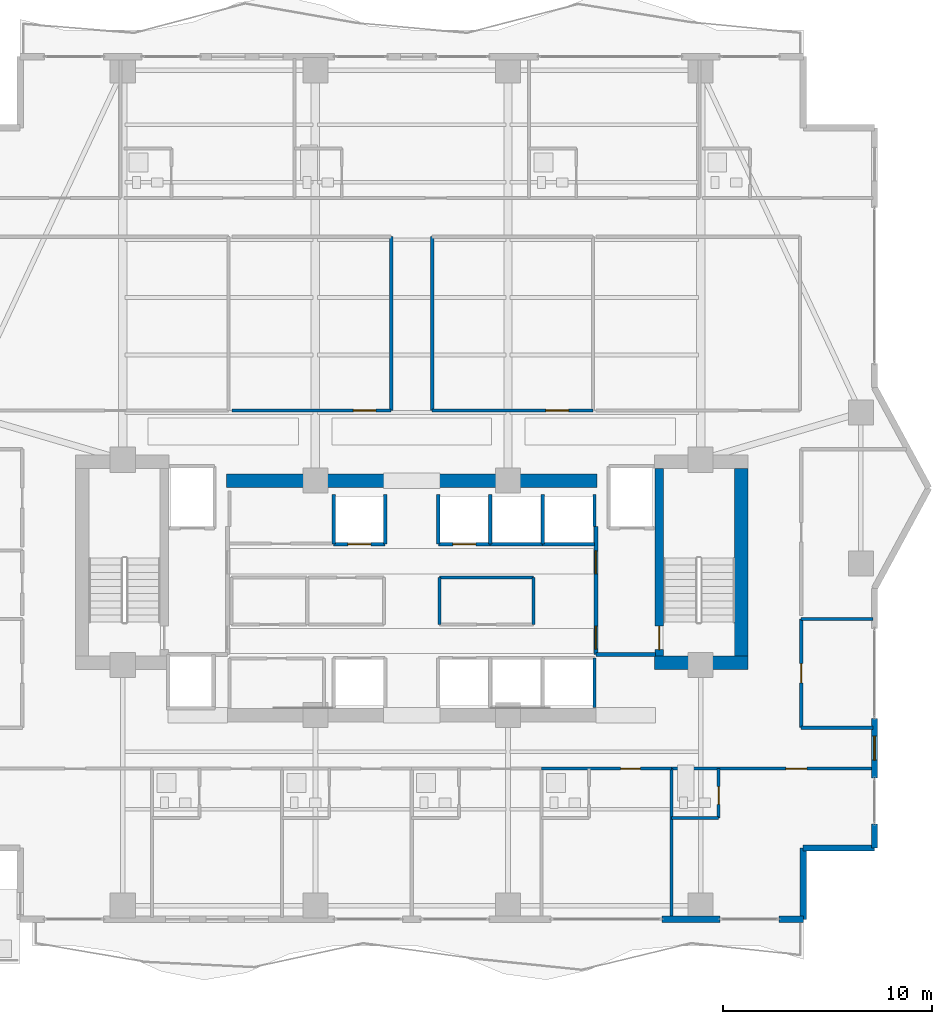
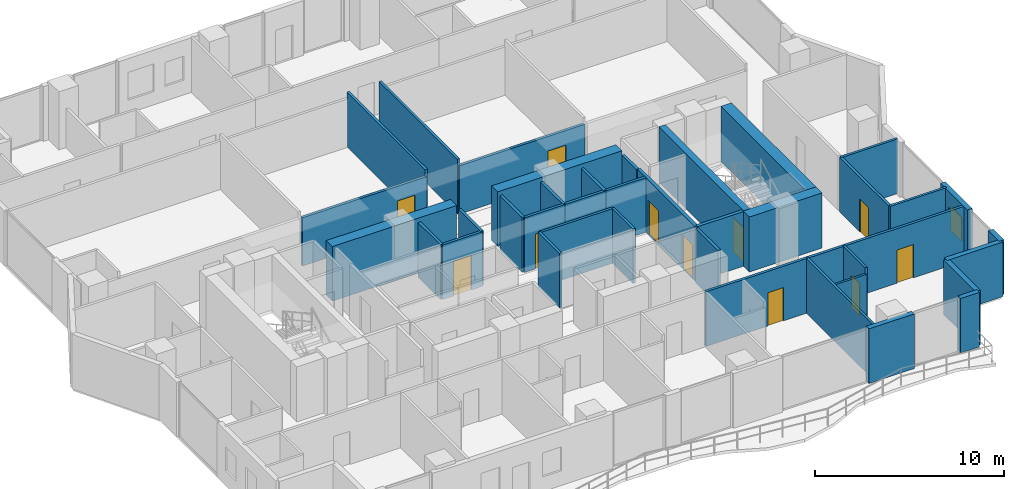
# One storey, part 26 of 32: 39 walls, 11 doors, 1 window, 12 openings.
"""IFC4 building model written with IfcOpenShell, lengths in metres."""

from ifc_helpers import new_model, si_unit, direction, frame, frame_2d, origin, place, context, subcontext, project, spatial, rectangle, extrude, material, layer, layer_set, type_object, element, fill, save


model = new_model("IFC4")

# Units and contexts
model_context = context("Model", 3, precision=1e-05, world=origin(), true_north=direction((0.0, 1.0)))
body_context = subcontext(model_context, "Body", "Model", "MODEL_VIEW")
ifc_project = project(units=[si_unit("LENGTHUNIT", "METRE"), si_unit("AREAUNIT", "SQUARE_METRE"), si_unit("VOLUMEUNIT", "CUBIC_METRE"), si_unit("PLANEANGLEUNIT", "RADIAN"), si_unit("MASSUNIT", "GRAM", prefix="KILO")], contexts=[model_context])

# Site, building, storey
site_placement = place(None, origin())
site = spatial("IfcSite", under=ifc_project, at=site_placement, CompositionType="ELEMENT")
building_placement = place(site_placement, origin())
building = spatial("IfcBuilding", under=site, at=building_placement, Name="Zuhayl Quay Hotel", CompositionType="ELEMENT")
storey_placement = place(building_placement, frame((0.0, 0.0, 188.64990234375)))
storey = spatial("IfcBuildingStorey", under=building, at=storey_placement, Name="L47", CompositionType="ELEMENT", Elevation=188.64990234375)

# Walls
ifc_material_1 = material(Name="Concrete C50/60", Category="concrete")
ifc_layer_1 = layer(ifc_material_1, 0.64990234375, Name="Concrete C50/60", Category="concrete")
ifc_layer_set_1 = layer_set([ifc_layer_1], Name="Concrete C50/60")
wall_type_1 = type_object("IfcWallType", Name="WL_CORE_650", PredefinedType="SHEAR", material=ifc_layer_set_1)
wall_1_placement = place(storey_placement, frame((15.735107421875, 4.969970703125, 0.0), z_axis=(0.0, 0.0, 1.0), x_axis=(0.0, 1.0, 0.0)))
element("IfcWall", 1, at=wall_1_placement, inside=storey, type_object=wall_type_1, Name="L47 Core Shear Wall CW_E", PredefinedType="SHEAR", context=body_context, shape_type="SweptSolid", body=[
    extrude(rectangle(XDim=8.9599609375, YDim=0.64990234375, at=frame_2d((4.47998046875, 0.0))), origin(), (0.0, 0.0, 1.0), 3.56005859375),
])
wall_2_placement = place(storey_placement, frame((11.60009765625, 4.64501953125, 0.0), z_axis=(0.0, 0.0, 1.0), x_axis=(1.0, 0.0, 0.0)))
element("IfcWall", 2, at=wall_2_placement, inside=storey, type_object=wall_type_1, Name="L47 Core Shear Wall CW_SE", PredefinedType="SHEAR", context=body_context, shape_type="SweptSolid", body=[
    extrude(rectangle(XDim=4.4599609375, YDim=0.64990234375, at=frame_2d((2.22998046875, 0.0))), origin(), (0.0, 0.0, 1.0), 3.56005859375),
])
for number, where, z_axis, x_axis, name in (
    (3, (-8.85009765625, 13.35009765625, 0.0), (0.0, 0.0, 1.0), (1.0, 0.0, 0.0), "L47 Core Shear Wall CW_NC_W"),
    (4, (1.25, 13.35009765625, 0.0), (0.0, 0.0, 1.0), (1.0, 0.0, 0.0), "L47 Core Shear Wall CW_NC_E"),
):
    element("IfcWall", number, at=place(storey_placement, frame(where, z_axis=z_axis, x_axis=x_axis)), inside=storey, type_object=wall_type_1, Name=name, PredefinedType="SHEAR", context=body_context, shape_type="SweptSolid", body=[
        extrude(rectangle(XDim=7.60009765625, YDim=0.64990234375, at=frame_2d((3.800048828125, 0.0))), origin(), (0.0, 0.0, 1.0), 3.530029296875),
    ])

# Wall, opening, window
ifc_material_2 = material(Name="Precast concrete C45/55", Category="concrete")
ifc_layer_2 = layer(ifc_material_2, 0.300048828125, Name="Precast concrete C45/55", Category="concrete")
ifc_layer_set_2 = layer_set([ifc_layer_2], Name="Precast concrete C45/55")
wall_type_2 = type_object("IfcWallType", Name="WL_EXT_300", PredefinedType="STANDARD", material=ifc_layer_set_2)
wall_3_placement = place(storey_placement, frame((22.10009765625, 2.0, 0.0), z_axis=(0.0, 0.0, 1.0), x_axis=(0.0, -1.0, 0.0)))
wall_3 = element("IfcWall", 5, at=wall_3_placement, inside=storey, type_object=wall_type_2, Name="L47 Exterior Precast Wall ENV_L47_E14_EW2", PredefinedType="STANDARD", context=body_context, shape_type="SweptSolid", body=[
    extrude(rectangle(XDim=2.85009765625, YDim=0.300048828125, at=frame_2d((1.425048828125, 0.0))), origin(), (0.0, 0.0, 1.0), 3.530029296875),
])
opening_1_placement = place(wall_3_placement, frame((0.85009765625, 0.0, 0.949951171875)))
opening_1 = element("IfcOpeningElement", 6, at=opening_1_placement, cuts=wall_3, Name="Opening W01N", PredefinedType="OPENING", context=body_context, shape_type="SweptSolid", body=[
    extrude(rectangle(XDim=1.14990234375, YDim=1.550048828125, at=frame_2d((0.574951171875, 0.77490234375))), frame((0.0, 0.159912109375, 0.0), z_axis=(0.0, -1.0, 0.0), x_axis=(1.0, 0.0, 0.0)), (0.0, 0.0, 1.0), 0.320068359375),
])
ifc_material_3 = material(Name="Dark Ceramic-Fritted Solar Glass", Category="glass")
window_type = type_object("IfcWindowType", Name="WN_NOTCH_1350", PartitioningType="SINGLE_PANEL", PredefinedType="WINDOW", material=ifc_material_3)
window_placement = place(opening_1_placement, origin())
window = element("IfcWindow", 7, at=window_placement, inside=storey, type_object=window_type, Name="L47 Operable Facade Window 2-1", OverallHeight=1.550048828125, OverallWidth=1.14990234375, PartitioningType="SINGLE_PANEL", PredefinedType="WINDOW", context=body_context, shape_type="SweptSolid", body=[
    extrude(rectangle(XDim=1.14990234375, YDim=1.550048828125, at=frame_2d((0.574951171875, 0.77490234375))), frame((0.0, 0.030029296875, 0.0), z_axis=(0.0, -1.0, 0.0), x_axis=(1.0, 0.0, 0.0)), (0.0, 0.0, 1.0), 0.06005859375),
])
fill(opening_1, window)

# Walls
wall_4_placement = place(storey_placement, frame((22.10009765625, -3.050048828125, 0.0), z_axis=(0.0, 0.0, 1.0), x_axis=(0.0, -1.0, 0.0)))
element("IfcWall", 8, at=wall_4_placement, inside=storey, type_object=wall_type_2, Name="L47 Exterior Precast Wall ENV_L47_E14_EW3", PredefinedType="STANDARD", context=body_context, shape_type="SweptSolid", body=[
    extrude(rectangle(XDim=1.14990234375, YDim=0.300048828125, at=frame_2d((0.574951171875, 0.0))), origin(), (0.0, 0.0, 1.0), 3.530029296875),
])
for number, where, z_axis, x_axis, name in (
    (9, (22.10009765625, -4.199951171875, 0.0), (0.0, 0.0, 1.0), (-1.0, 0.0, 0.0), "L47 Exterior Precast Wall ENV_L47_EW15"),
    (10, (18.699951171875, -4.199951171875, 0.0), (0.0, 0.0, 1.0), (0.0, -1.0, 0.0), "L47 Exterior Precast Wall ENV_L47_EW16"),
):
    element("IfcWall", number, at=place(storey_placement, frame(where, z_axis=z_axis, x_axis=x_axis)), inside=storey, type_object=wall_type_2, Name=name, PredefinedType="STANDARD", context=body_context, shape_type="SweptSolid", body=[
        extrude(rectangle(XDim=3.400146484375, YDim=0.300048828125, at=frame_2d((1.7001953125, 0.0))), origin(), (0.0, 0.0, 1.0), 3.530029296875),
    ])
wall_5_placement = place(storey_placement, frame((18.699951171875, -7.60009765625, 0.0), z_axis=(0.0, 0.0, 1.0), x_axis=(-1.0, 0.0, 0.0)))
element("IfcWall", 11, at=wall_5_placement, inside=storey, type_object=wall_type_2, Name="L47 Exterior Precast Wall ENV_L47_S_EW1", PredefinedType="STANDARD", context=body_context, shape_type="SweptSolid", body=[
    extrude(rectangle(XDim=1.14990234375, YDim=0.300048828125, at=frame_2d((0.574951171875, 0.0))), origin(), (0.0, 0.0, 1.0), 3.530029296875),
])
wall_6_placement = place(storey_placement, frame((14.719970703125, -7.60009765625, 0.0), z_axis=(0.0, 0.0, 1.0), x_axis=(-1.0, 0.0, 0.0)))
element("IfcWall", 12, at=wall_6_placement, inside=storey, type_object=wall_type_2, Name="L47 Exterior Precast Wall ENV_L47_S_EW2", PredefinedType="STANDARD", context=body_context, shape_type="SweptSolid", body=[
    extrude(rectangle(XDim=2.77001953125, YDim=0.300048828125, at=frame_2d((1.385009765625, 0.0))), origin(), (0.0, 0.0, 1.0), 3.530029296875),
])
ifc_material_4 = material(Name="Acoustic Gypsum Partition STC-58")
ifc_layer_3 = layer(ifc_material_4, 0.14990234375, Name="Acoustic Gypsum Partition STC-58")
ifc_layer_set_3 = layer_set([ifc_layer_3], Name="Acoustic Gypsum Partition STC-58")
wall_type_3 = type_object("IfcWallType", Name="WL_PART_150", PredefinedType="PARTITIONING", material=ifc_layer_set_3)
wall_7_placement = place(storey_placement, frame((1.320068359375, 8.719970703125, 0.0), z_axis=(0.0, 0.0, 1.0), x_axis=(1.0, 0.0, 0.0)))
element("IfcWall", 13, at=wall_7_placement, inside=storey, type_object=wall_type_3, Name="L47 Partition IW_L47_CORE_PN_N", PredefinedType="PARTITIONING", context=body_context, shape_type="SweptSolid", body=[
    extrude(rectangle(XDim=4.489990234375, YDim=0.14990234375, at=frame_2d((2.2451171875, 0.0))), origin(), (0.0, 0.0, 1.0), 3.530029296875),
])
for number, where, z_axis, x_axis, name in (
    (14, (1.320068359375, 6.47998046875, 0.0), (0.0, 0.0, 1.0), (0.0, 1.0, 0.0), "L47 Partition IW_L47_CORE_PN_W"),
    (15, (5.81005859375, 6.47998046875, 0.0), (0.0, 0.0, 1.0), (0.0, 1.0, 0.0), "L47 Partition IW_L47_CORE_PN_E"),
):
    element("IfcWall", number, at=place(storey_placement, frame(where, z_axis=z_axis, x_axis=x_axis)), inside=storey, type_object=wall_type_3, Name=name, PredefinedType="PARTITIONING", context=body_context, shape_type="SweptSolid", body=[
        extrude(rectangle(XDim=2.239990234375, YDim=0.14990234375, at=frame_2d((1.1201171875, 0.0))), origin(), (0.0, 0.0, 1.0), 3.530029296875),
    ])
for number, where, z_axis, x_axis, name in (
    (16, (-0.97998046875, 16.699951171875, 0.0), (0.0, 0.0, 1.0), (0.0, 1.0, 0.0), "L47 Partition IW_L47_Z3_SAL_M2_E"),
    (17, (0.97998046875, 16.699951171875, 0.0), (0.0, 0.0, 1.0), (0.0, 1.0, 0.0), "L47 Partition IW_L47_Z3_SAL_E1_W"),
):
    element("IfcWall", number, at=place(storey_placement, frame(where, z_axis=z_axis, x_axis=x_axis)), inside=storey, type_object=wall_type_3, Name=name, PredefinedType="PARTITIONING", context=body_context, shape_type="SweptSolid", body=[
        extrude(rectangle(XDim=8.300048828125, YDim=0.14990234375, at=frame_2d((4.14990234375, 0.0))), origin(), (0.0, 0.0, 1.0), 3.530029296875),
    ])
wall_8_placement = place(storey_placement, frame((12.39990234375, -7.52001953125, 0.0), z_axis=(0.0, 0.0, 1.0), x_axis=(0.0, 1.0, 0.0)))
element("IfcWall", 18, at=wall_8_placement, inside=storey, type_object=wall_type_3, Name="L47 Partition IW_L47_SU05_E", PredefinedType="PARTITIONING", context=body_context, shape_type="SweptSolid", body=[
    extrude(rectangle(XDim=7.1201171875, YDim=0.14990234375, at=frame_2d((3.56005859375, 0.0))), origin(), (0.0, 0.0, 1.0), 3.530029296875),
])
for number, where, z_axis, x_axis, name in (
    (19, (18.60009765625, 1.550048828125, 0.0), (0.0, 0.0, 1.0), (1.0, 0.0, 0.0), "L47 Partition IW_L47_HK_MAIN_S"),
    (20, (18.60009765625, 6.75, 0.0), (0.0, 0.0, 1.0), (1.0, 0.0, 0.0), "L47 Partition IW_L47_HK_MAIN_N"),
):
    element("IfcWall", number, at=place(storey_placement, frame(where, z_axis=z_axis, x_axis=x_axis)), inside=storey, type_object=wall_type_3, Name=name, PredefinedType="PARTITIONING", context=body_context, shape_type="SweptSolid", body=[
        extrude(rectangle(XDim=3.43994140625, YDim=0.14990234375, at=frame_2d((1.719970703125, 0.0))), origin(), (0.0, 0.0, 1.0), 3.530029296875),
    ])

# Wall, opening, door
ifc_layer_4 = layer(ifc_material_4, 0.159912109375, Name="Acoustic Gypsum Partition STC-58")
ifc_layer_set_4 = layer_set([ifc_layer_4], Name="Acoustic Gypsum Partition STC-58")
wall_type_4 = type_object("IfcWallType", Name="WL_PART_CORR_160", PredefinedType="PARTITIONING", material=ifc_layer_set_4)
wall_9_placement = place(storey_placement, frame((-8.590087890625, 16.699951171875, 0.0), z_axis=(0.0, 0.0, 1.0), x_axis=(1.0, 0.0, 0.0)))
wall_9 = element("IfcWall", 21, at=wall_9_placement, inside=storey, type_object=wall_type_4, Name="L47 Partition IW_L47_Z3_SAL_M2_S", PredefinedType="PARTITIONING", context=body_context, shape_type="SweptSolid", body=[
    extrude(rectangle(XDim=7.610107421875, YDim=0.159912109375, at=frame_2d((3.80517578125, 0.0))), origin(), (0.0, 0.0, 1.0), 3.1240234375),
])
opening_2_placement = place(wall_9_placement, frame((5.800048828125, 0.0, 0.0)))
opening_2 = element("IfcOpeningElement", 22, at=opening_2_placement, cuts=wall_9, Name="Opening D05A", PredefinedType="OPENING", context=body_context, shape_type="SweptSolid", body=[
    extrude(rectangle(XDim=1.080078125, YDim=2.179931640625, at=frame_2d((0.5400390625, 1.08984375))), frame((0.0, 0.08984375, 0.0), z_axis=(0.0, -1.0, 0.0), x_axis=(1.0, 0.0, 0.0)), (0.0, 0.0, 1.0), 0.179931640625),
])
ifc_material_5 = material(Name="Solid Walnut Acoustic Fire Door")
door_type_1 = type_object("IfcDoorType", Name="DR_INT_1100", OperationType="NOTDEFINED", PredefinedType="DOOR", material=ifc_material_5)
door_1_placement = place(opening_2_placement, origin())
door_1 = element("IfcDoor", 23, at=door_1_placement, inside=storey, type_object=door_type_1, Name="L47 Vitality Relaxation Salon Door", OperationType="SINGLE_SWING_LEFT", OverallHeight=2.179931640625, OverallWidth=1.080078125, PredefinedType="DOOR", context=body_context, shape_type="SweptSolid", body=[
    extrude(rectangle(XDim=1.080078125, YDim=2.179931640625, at=frame_2d((0.5400390625, 1.08984375))), frame((0.0, 0.02490234375, 0.0), z_axis=(0.0, -1.0, 0.0), x_axis=(1.0, 0.0, 0.0)), (0.0, 0.0, 1.0), 0.050048828125),
])
fill(opening_2, door_1)

wall_10_placement = place(storey_placement, frame((0.97998046875, 16.699951171875, 0.0), z_axis=(0.0, 0.0, 1.0), x_axis=(1.0, 0.0, 0.0)))
wall_10 = element("IfcWall", 24, at=wall_10_placement, inside=storey, type_object=wall_type_4, Name="L47 Partition IW_L47_Z3_SAL_E1_S", PredefinedType="PARTITIONING", context=body_context, shape_type="SweptSolid", body=[
    extrude(rectangle(XDim=7.669921875, YDim=0.159912109375, at=frame_2d((3.8349609375, 0.0))), origin(), (0.0, 0.0, 1.0), 3.1240234375),
])
opening_3_placement = place(wall_10_placement, frame((5.429931640625, 0.0, 0.0)))
opening_3 = element("IfcOpeningElement", 25, at=opening_3_placement, cuts=wall_10, Name="Opening D05A", PredefinedType="OPENING", context=body_context, shape_type="SweptSolid", body=[
    extrude(rectangle(XDim=1.080078125, YDim=2.179931640625, at=frame_2d((0.5400390625, 1.08984375))), frame((0.0, 0.08984375, 0.0), z_axis=(0.0, -1.0, 0.0), x_axis=(1.0, 0.0, 0.0)), (0.0, 0.0, 1.0), 0.179931640625),
])
door_2_placement = place(opening_3_placement, origin())
door_2 = element("IfcDoor", 26, at=door_2_placement, inside=storey, type_object=door_type_1, Name="L47 Relaxation Tea Lounge Door", OperationType="SINGLE_SWING_RIGHT", OverallHeight=2.179931640625, OverallWidth=1.080078125, PredefinedType="DOOR", context=body_context, shape_type="SweptSolid", body=[
    extrude(rectangle(XDim=1.080078125, YDim=2.179931640625, at=frame_2d((0.5400390625, 1.08984375))), frame((0.0, 0.02490234375, 0.0), z_axis=(0.0, -1.0, 0.0), x_axis=(1.0, 0.0, 0.0)), (0.0, 0.0, 1.0), 0.050048828125),
])
fill(opening_3, door_2)

wall_11_placement = place(storey_placement, frame((6.199951171875, -0.39990234375, 0.0), z_axis=(0.0, 0.0, 1.0), x_axis=(1.0, 0.0, 0.0)))
wall_11 = element("IfcWall", 27, at=wall_11_placement, inside=storey, type_object=wall_type_4, Name="L47 Partition IW_L47_SU05_COR", PredefinedType="PARTITIONING", context=body_context, shape_type="SweptSolid", body=[
    extrude(rectangle(XDim=6.199951171875, YDim=0.159912109375, at=frame_2d((3.10009765625, 0.0))), origin(), (0.0, 0.0, 1.0), 3.530029296875),
])
opening_4_placement = place(wall_11_placement, frame((3.77490234375, 0.0, 0.0)))
opening_4 = element("IfcOpeningElement", 28, at=opening_4_placement, cuts=wall_11, Name="Opening D03", PredefinedType="OPENING", context=body_context, shape_type="SweptSolid", body=[
    extrude(rectangle(XDim=0.949951171875, YDim=2.14990234375, at=frame_2d((0.47509765625, 1.074951171875))), frame((0.0, 0.08984375, 0.0), z_axis=(0.0, -1.0, 0.0), x_axis=(1.0, 0.0, 0.0)), (0.0, 0.0, 1.0), 0.179931640625),
])
door_type_2 = type_object("IfcDoorType", Name="DR_SUITE_950", OperationType="NOTDEFINED", PredefinedType="DOOR", material=ifc_material_5)
door_3_placement = place(opening_4_placement, origin())
door_3 = element("IfcDoor", 29, at=door_3_placement, inside=storey, type_object=door_type_2, Name="L47 Premier Twin Guest Room L47-05 Entrance Door", OperationType="SINGLE_SWING_LEFT", OverallHeight=2.14990234375, OverallWidth=0.949951171875, PredefinedType="DOOR", context=body_context, shape_type="SweptSolid", body=[
    extrude(rectangle(XDim=0.949951171875, YDim=2.14990234375, at=frame_2d((0.47509765625, 1.074951171875))), frame((0.0, 0.02490234375, 0.0), z_axis=(0.0, -1.0, 0.0), x_axis=(1.0, 0.0, 0.0)), (0.0, 0.0, 1.0), 0.050048828125),
])
fill(opening_4, door_3)

wall_12_placement = place(storey_placement, frame((12.39990234375, -0.39990234375, 0.0), z_axis=(0.0, 0.0, 1.0), x_axis=(1.0, 0.0, 0.0)))
wall_12 = element("IfcWall", 30, at=wall_12_placement, inside=storey, type_object=wall_type_4, Name="L47 Partition IW_L47_SU06_COR", PredefinedType="PARTITIONING", context=body_context, shape_type="SweptSolid", body=[
    extrude(rectangle(XDim=9.64013671875, YDim=0.159912109375, at=frame_2d((4.820068359375, 0.0))), origin(), (0.0, 0.0, 1.0), 3.530029296875),
])
opening_5_placement = place(wall_12_placement, frame((5.469970703125, 0.0, 0.0)))
opening_5 = element("IfcOpeningElement", 31, at=opening_5_placement, cuts=wall_12, Name="Opening D03L", PredefinedType="OPENING", context=body_context, shape_type="SweptSolid", body=[
    extrude(rectangle(XDim=1.0, YDim=2.14990234375, at=frame_2d((0.5, 1.074951171875))), frame((0.0, 0.08984375, 0.0), z_axis=(0.0, -1.0, 0.0), x_axis=(1.0, 0.0, 0.0)), (0.0, 0.0, 1.0), 0.179931640625),
])
door_type_3 = type_object("IfcDoorType", Name="DR_SUITE_1000", OperationType="NOTDEFINED", PredefinedType="DOOR", material=ifc_material_5)
door_4_placement = place(opening_5_placement, origin())
door_4 = element("IfcDoor", 32, at=door_4_placement, inside=storey, type_object=door_type_3, Name="L47 Premier Twin Guest Room L47-06 Entrance Door", OperationType="SINGLE_SWING_LEFT", OverallHeight=2.14990234375, OverallWidth=1.0, PredefinedType="DOOR", context=body_context, shape_type="SweptSolid", body=[
    extrude(rectangle(XDim=1.0, YDim=2.14990234375, at=frame_2d((0.5, 1.074951171875))), frame((0.0, 0.02490234375, 0.0), z_axis=(0.0, -1.0, 0.0), x_axis=(1.0, 0.0, 0.0)), (0.0, 0.0, 1.0), 0.050048828125),
])
fill(opening_5, door_4)

wall_13_placement = place(storey_placement, frame((18.60009765625, 1.550048828125, 0.0), z_axis=(0.0, 0.0, 1.0), x_axis=(0.0, 1.0, 0.0)))
wall_13 = element("IfcWall", 33, at=wall_13_placement, inside=storey, type_object=wall_type_4, Name="L47 Partition IW_L47_HK_MAIN_W", PredefinedType="PARTITIONING", context=body_context, shape_type="SweptSolid", body=[
    extrude(rectangle(XDim=5.199951171875, YDim=0.159912109375, at=frame_2d((2.60009765625, 0.0))), origin(), (0.0, 0.0, 1.0), 3.530029296875),
])
opening_6_placement = place(wall_13_placement, frame((2.139892578125, 0.0, 0.0)))
opening_6 = element("IfcOpeningElement", 34, at=opening_6_placement, cuts=wall_13, Name="Opening D05", PredefinedType="OPENING", context=body_context, shape_type="SweptSolid", body=[
    extrude(rectangle(XDim=0.919921875, YDim=2.1201171875, at=frame_2d((0.4599609375, 1.06005859375))), frame((0.0, 0.08984375, 0.0), z_axis=(0.0, -1.0, 0.0), x_axis=(1.0, 0.0, 0.0)), (0.0, 0.0, 1.0), 0.179931640625),
])
door_type_4 = type_object("IfcDoorType", Name="DR_INT_950", OperationType="NOTDEFINED", PredefinedType="DOOR", material=ifc_material_5)
door_5_placement = place(opening_6_placement, origin())
door_5 = element("IfcDoor", 35, at=door_5_placement, inside=storey, type_object=door_type_4, Name="L47 Housekeeping and Linen Room Door", OperationType="SINGLE_SWING_RIGHT", OverallHeight=2.1201171875, OverallWidth=0.919921875, PredefinedType="DOOR", context=body_context, shape_type="SweptSolid", body=[
    extrude(rectangle(XDim=0.919921875, YDim=2.1201171875, at=frame_2d((0.4599609375, 1.06005859375))), frame((0.0, 0.02490234375, 0.0), z_axis=(0.0, -1.0, 0.0), x_axis=(1.0, 0.0, 0.0)), (0.0, 0.0, 1.0), 0.050048828125),
])
fill(opening_6, door_5)

ifc_material_6 = material(Name="Moisture-Resistant Sanitarychase Gypsum")
ifc_layer_5 = layer(ifc_material_6, 0.135009765625, Name="Moisture-Resistant Sanitarychase Gypsum")
ifc_layer_set_5 = layer_set([ifc_layer_5], Name="Moisture-Resistant Sanitarychase Gypsum")
wall_type_5 = type_object("IfcWallType", Name="WL_PART_PLUMB_150", PredefinedType="PLUMBINGWALL", material=ifc_layer_set_5)
wall_14_placement = place(storey_placement, frame((14.659912109375, -2.760009765625, 0.0), z_axis=(0.0, 0.0, 1.0), x_axis=(0.0, 1.0, 0.0)))
wall_14 = element("IfcWall", 36, at=wall_14_placement, inside=storey, type_object=wall_type_5, Name="L47 Partition IW_L47_SU06_BE", PredefinedType="PLUMBINGWALL", context=body_context, shape_type="SweptSolid", body=[
    extrude(rectangle(XDim=2.360107421875, YDim=0.135009765625, at=frame_2d((1.18017578125, 0.0))), origin(), (0.0, 0.0, 1.0), 3.530029296875),
])
opening_7_placement = place(wall_14_placement, frame((0.64990234375, 0.0, 0.0)))
opening_7 = element("IfcOpeningElement", 37, at=opening_7_placement, cuts=wall_14, Name="Opening D04", PredefinedType="OPENING", context=body_context, shape_type="SweptSolid", body=[
    extrude(rectangle(XDim=0.85009765625, YDim=2.10009765625, at=frame_2d((0.425048828125, 1.050048828125))), frame((0.0, 0.077392578125, 0.0), z_axis=(0.0, -1.0, 0.0), x_axis=(1.0, 0.0, 0.0)), (0.0, 0.0, 1.0), 0.155029296875),
])
ifc_material_7 = material(Name="Moisture-Resistant Walnut Veneer")
door_type_5 = type_object("IfcDoorType", Name="DR_BATH_850", OperationType="NOTDEFINED", PredefinedType="DOOR", material=ifc_material_7)
door_6_placement = place(opening_7_placement, origin())
door_6 = element("IfcDoor", 38, at=door_6_placement, inside=storey, type_object=door_type_5, Name="L47 Premier Twin Guest Room L47-06 En-Suite Door", OperationType="SINGLE_SWING_RIGHT", OverallHeight=2.10009765625, OverallWidth=0.85009765625, PredefinedType="DOOR", context=body_context, shape_type="SweptSolid", body=[
    extrude(rectangle(XDim=0.85009765625, YDim=2.10009765625, at=frame_2d((0.425048828125, 1.050048828125))), frame((0.0, 0.02490234375, 0.0), z_axis=(0.0, -1.0, 0.0), x_axis=(1.0, 0.0, 0.0)), (0.0, 0.0, 1.0), 0.050048828125),
])
fill(opening_7, door_6)

# Wall
wall_15_placement = place(storey_placement, frame((12.39990234375, -2.760009765625, 0.0), z_axis=(0.0, 0.0, 1.0), x_axis=(1.0, 0.0, 0.0)))
element("IfcWall", 39, at=wall_15_placement, inside=storey, type_object=wall_type_5, Name="L47 Partition IW_L47_SU06_BS", PredefinedType="PLUMBINGWALL", context=body_context, shape_type="SweptSolid", body=[
    extrude(rectangle(XDim=2.260009765625, YDim=0.135009765625, at=frame_2d((1.1298828125, 0.0))), origin(), (0.0, 0.0, 1.0), 3.1240234375),
])

# Wall, opening, door
ifc_material_8 = material(Name="Gypsum Fireboard Assembly EI-90")
ifc_layer_6 = layer(ifc_material_8, 0.1650390625, Name="Gypsum Fireboard Assembly EI-90")
ifc_layer_set_6 = layer_set([ifc_layer_6], Name="Gypsum Fireboard Assembly EI-90")
wall_type_6 = type_object("IfcWallType", Name="WL_PART_SHAFT_160", PredefinedType="PARTITIONING", material=ifc_layer_set_6)
wall_16_placement = place(storey_placement, frame((-3.72998046875, 10.320068359375, 0.0), z_axis=(0.0, 0.0, 1.0), x_axis=(1.0, 0.0, 0.0)))
wall_16 = element("IfcWall", 40, at=wall_16_placement, inside=storey, type_object=wall_type_6, Name="L47 Partition IW_L47_SH_MP3_F", PredefinedType="PARTITIONING", context=body_context, shape_type="SweptSolid", body=[
    extrude(rectangle(XDim=2.4599609375, YDim=0.1650390625, at=frame_2d((1.22998046875, 0.0))), origin(), (0.0, 0.0, 1.0), 3.530029296875),
])
opening_8_placement = place(wall_16_placement, frame((0.679931640625, 0.0, 0.0)))
opening_8 = element("IfcOpeningElement", 41, at=opening_8_placement, cuts=wall_16, Name="Opening LD1", PredefinedType="OPENING", context=body_context, shape_type="SweptSolid", body=[
    extrude(rectangle(XDim=1.10009765625, YDim=2.25, at=frame_2d((0.550048828125, 1.125))), frame((0.0, 0.092529296875, 0.0), z_axis=(0.0, -1.0, 0.0), x_axis=(1.0, 0.0, 0.0)), (0.0, 0.0, 1.0), 0.18505859375),
])
ifc_material_9 = material(Name="Brushed Stainless Steel", Category="steel")
door_type_6 = type_object("IfcDoorType", Name="DR_LIFT_PASS_1100", OperationType="SLIDING_TO_LEFT", PredefinedType="DOOR", material=ifc_material_9)
door_7_placement = place(opening_8_placement, origin())
door_7 = element("IfcDoor", 42, at=door_7_placement, inside=storey, type_object=door_type_6, Name="L47 Lift MP3 Sliding Landing Door", OperationType="SLIDING_TO_LEFT", OverallHeight=2.25, OverallWidth=1.10009765625, PredefinedType="DOOR", context=body_context, shape_type="SweptSolid", body=[
    extrude(rectangle(XDim=1.10009765625, YDim=2.25, at=frame_2d((0.550048828125, 1.125))), frame((0.0, 0.02490234375, 0.0), z_axis=(0.0, -1.0, 0.0), x_axis=(1.0, 0.0, 0.0)), (0.0, 0.0, 1.0), 0.050048828125),
])
fill(opening_8, door_7)

wall_17_placement = place(storey_placement, frame((1.27001953125, 10.320068359375, 0.0), z_axis=(0.0, 0.0, 1.0), x_axis=(1.0, 0.0, 0.0)))
wall_17 = element("IfcWall", 43, at=wall_17_placement, inside=storey, type_object=wall_type_6, Name="L47 Partition IW_L47_SH_MP4_F", PredefinedType="PARTITIONING", context=body_context, shape_type="SweptSolid", body=[
    extrude(rectangle(XDim=2.47998046875, YDim=0.1650390625, at=frame_2d((1.239990234375, 0.0))), origin(), (0.0, 0.0, 1.0), 3.530029296875),
])
opening_9_placement = place(wall_17_placement, frame((0.68994140625, 0.0, 0.0)))
opening_9 = element("IfcOpeningElement", 44, at=opening_9_placement, cuts=wall_17, Name="Opening LD1", PredefinedType="OPENING", context=body_context, shape_type="SweptSolid", body=[
    extrude(rectangle(XDim=1.10009765625, YDim=2.25, at=frame_2d((0.550048828125, 1.125))), frame((0.0, 0.092529296875, 0.0), z_axis=(0.0, -1.0, 0.0), x_axis=(1.0, 0.0, 0.0)), (0.0, 0.0, 1.0), 0.18505859375),
])
door_8_placement = place(opening_9_placement, origin())
door_8 = element("IfcDoor", 45, at=door_8_placement, inside=storey, type_object=door_type_6, Name="L47 Lift MP4 Sliding Landing Door", OperationType="SLIDING_TO_LEFT", OverallHeight=2.25, OverallWidth=1.10009765625, PredefinedType="DOOR", context=body_context, shape_type="SweptSolid", body=[
    extrude(rectangle(XDim=1.10009765625, YDim=2.25, at=frame_2d((0.550048828125, 1.125))), frame((0.0, 0.02490234375, 0.0), z_axis=(0.0, -1.0, 0.0), x_axis=(1.0, 0.0, 0.0)), (0.0, 0.0, 1.0), 0.050048828125),
])
fill(opening_9, door_8)

# Walls
for number, where, z_axis, x_axis, name in (
    (46, (-3.72998046875, 10.320068359375, 0.0), (0.0, 0.0, 1.0), (0.0, 1.0, 0.0), "L47 Partition IW_L47_SH_MP3_W"),
    (47, (-1.27001953125, 10.320068359375, 0.0), (0.0, 0.0, 1.0), (0.0, 1.0, 0.0), "L47 Partition IW_L47_SH_MP3_E"),
    (48, (1.27001953125, 10.320068359375, 0.0), (0.0, 0.0, 1.0), (0.0, 1.0, 0.0), "L47 Partition IW_L47_SH_MP4_W"),
    (49, (3.75, 10.320068359375, 0.0), (0.0, 0.0, 1.0), (0.0, 1.0, 0.0), "L47 Partition IW_L47_SH_MP4_E"),
    (50, (8.72998046875, 2.52001953125, 0.0), (0.0, 0.0, 1.0), (0.0, 1.0, 0.0), "L47 Partition IW_L47_SH_HP2_E"),
):
    element("IfcWall", number, at=place(storey_placement, frame(where, z_axis=z_axis, x_axis=x_axis)), inside=storey, type_object=wall_type_6, Name=name, PredefinedType="PARTITIONING", context=body_context, shape_type="SweptSolid", body=[
        extrude(rectangle(XDim=2.35986328125, YDim=0.1650390625, at=frame_2d((1.179931640625, 0.0))), origin(), (0.0, 0.0, 1.0), 3.530029296875),
    ])
wall_18_placement = place(storey_placement, frame((3.75, 10.320068359375, 0.0), z_axis=(0.0, 0.0, 1.0), x_axis=(1.0, 0.0, 0.0)))
element("IfcWall", 51, at=wall_18_placement, inside=storey, type_object=wall_type_6, Name="L47 Partition IW_L47_SH_HP3_F", PredefinedType="PARTITIONING", context=body_context, shape_type="SweptSolid", body=[
    extrude(rectangle(XDim=2.5, YDim=0.1650390625, at=frame_2d((1.25, 0.0))), origin(), (0.0, 0.0, 1.0), 3.530029296875),
])
wall_19_placement = place(storey_placement, frame((6.25, 10.320068359375, 0.0), z_axis=(0.0, 0.0, 1.0), x_axis=(0.0, 1.0, 0.0)))
element("IfcWall", 52, at=wall_19_placement, inside=storey, type_object=wall_type_6, Name="L47 Partition IW_L47_SH_HP3_E", PredefinedType="PARTITIONING", context=body_context, shape_type="SweptSolid", body=[
    extrude(rectangle(XDim=2.35986328125, YDim=0.1650390625, at=frame_2d((1.179931640625, 0.0))), origin(), (0.0, 0.0, 1.0), 3.530029296875),
])
wall_20_placement = place(storey_placement, frame((6.25, 10.320068359375, 0.0), z_axis=(0.0, 0.0, 1.0), x_axis=(1.0, 0.0, 0.0)))
element("IfcWall", 53, at=wall_20_placement, inside=storey, type_object=wall_type_6, Name="L47 Partition IW_L47_SH_HP4_F", PredefinedType="PARTITIONING", context=body_context, shape_type="SweptSolid", body=[
    extrude(rectangle(XDim=2.47998046875, YDim=0.1650390625, at=frame_2d((1.239990234375, 0.0))), origin(), (0.0, 0.0, 1.0), 3.530029296875),
])
wall_21_placement = place(storey_placement, frame((8.72998046875, 11.14990234375, 0.0), z_axis=(0.0, 0.0, 1.0), x_axis=(0.0, 1.0, 0.0)))
element("IfcWall", 54, at=wall_21_placement, inside=storey, type_object=wall_type_6, Name="L47 Partition IW_L47_SH_HP4_E", PredefinedType="PARTITIONING", context=body_context, shape_type="SweptSolid", body=[
    extrude(rectangle(XDim=1.530029296875, YDim=0.1650390625, at=frame_2d((0.76513671875, 0.0))), origin(), (0.0, 0.0, 1.0), 3.530029296875),
])

# Wall, openings, doors
ifc_material_10 = material(Name="Gypsum Fireboard Assembly EI-120")
ifc_layer_7 = layer(ifc_material_10, 0.199951171875, Name="Gypsum Fireboard Assembly EI-120")
ifc_layer_set_7 = layer_set([ifc_layer_7], Name="Gypsum Fireboard Assembly EI-120")
wall_type_7 = type_object("IfcWallType", Name="WL_PART_SHAFT_200", PredefinedType="PARTITIONING", material=ifc_layer_set_7)
wall_22_placement = place(storey_placement, frame((8.800048828125, 11.14990234375, 0.0), z_axis=(0.0, 0.0, 1.0), x_axis=(0.0, -1.0, 0.0)))
wall_22 = element("IfcWall", 55, at=wall_22_placement, inside=storey, type_object=wall_type_7, Name="L47 Partition IW_L47_FSAE_E_W", PredefinedType="PARTITIONING", context=body_context, shape_type="SweptSolid", body=[
    extrude(rectangle(XDim=6.099853515625, YDim=0.199951171875, at=frame_2d((3.0498046875, 0.0))), origin(), (0.0, 0.0, 1.0), 3.530029296875),
])
opening_10_placement = place(wall_22_placement, frame((1.14990234375, 0.0, 0.0)))
opening_10 = element("IfcOpeningElement", 56, at=opening_10_placement, cuts=wall_22, Name="Opening D02", PredefinedType="OPENING", context=body_context, shape_type="SweptSolid", body=[
    extrude(rectangle(XDim=1.10009765625, YDim=2.199951171875, at=frame_2d((0.550048828125, 1.10009765625))), frame((0.0, 0.10986328125, 0.0), z_axis=(0.0, -1.0, 0.0), x_axis=(1.0, 0.0, 0.0)), (0.0, 0.0, 1.0), 0.219970703125),
])
opening_11_placement = place(wall_22_placement, frame((4.75, 0.0, 0.0)))
opening_11 = element("IfcOpeningElement", 57, at=opening_11_placement, cuts=wall_22, Name="Opening D02", PredefinedType="OPENING", context=body_context, shape_type="SweptSolid", body=[
    extrude(rectangle(XDim=1.10009765625, YDim=2.199951171875, at=frame_2d((0.550048828125, 1.10009765625))), frame((0.0, 0.10986328125, 0.0), z_axis=(0.0, -1.0, 0.0), x_axis=(1.0, 0.0, 0.0)), (0.0, 0.0, 1.0), 0.219970703125),
])
ifc_material_11 = material(Name="Steel ASTM A992 Grade 50", Category="steel")
door_type_7 = type_object("IfcDoorType", Name="DR_FIRE_90_1100", OperationType="NOTDEFINED", PredefinedType="DOOR", material=ifc_material_11)
door_9_placement = place(opening_10_placement, origin())
door_9 = element("IfcDoor", 58, at=door_9_placement, inside=storey, type_object=door_type_7, Name="L47 FSAE Lobby East North Entry Door", OperationType="SINGLE_SWING_RIGHT", OverallHeight=2.199951171875, OverallWidth=1.10009765625, PredefinedType="DOOR", context=body_context, shape_type="SweptSolid", body=[
    extrude(rectangle(XDim=1.10009765625, YDim=2.199951171875, at=frame_2d((0.550048828125, 1.10009765625))), frame((0.0, 0.02490234375, 0.0), z_axis=(0.0, -1.0, 0.0), x_axis=(1.0, 0.0, 0.0)), (0.0, 0.0, 1.0), 0.050048828125),
])
fill(opening_10, door_9)
door_10_placement = place(opening_11_placement, origin())
door_10 = element("IfcDoor", 59, at=door_10_placement, inside=storey, type_object=door_type_7, Name="L47 FSAE Lobby East South Entry Door", OperationType="SINGLE_SWING_LEFT", OverallHeight=2.199951171875, OverallWidth=1.10009765625, PredefinedType="DOOR", context=body_context, shape_type="SweptSolid", body=[
    extrude(rectangle(XDim=1.10009765625, YDim=2.199951171875, at=frame_2d((0.550048828125, 1.10009765625))), frame((0.0, 0.02490234375, 0.0), z_axis=(0.0, -1.0, 0.0), x_axis=(1.0, 0.0, 0.0)), (0.0, 0.0, 1.0), 0.050048828125),
])
fill(opening_11, door_10)

# Wall
wall_23_placement = place(storey_placement, frame((8.800048828125, 5.050048828125, 0.0), z_axis=(0.0, 0.0, 1.0), x_axis=(1.0, 0.0, 0.0)))
element("IfcWall", 60, at=wall_23_placement, inside=storey, type_object=wall_type_7, Name="L47 Partition IW_L47_FSAE_E_S", PredefinedType="PARTITIONING", context=body_context, shape_type="SweptSolid", body=[
    extrude(rectangle(XDim=2.849853515625, YDim=0.199951171875, at=frame_2d((1.4248046875, 0.0))), origin(), (0.0, 0.0, 1.0), 3.530029296875),
])

# Wall, opening, door
ifc_material_12 = material(Name="Concrete C60/75", Category="concrete")
ifc_layer_8 = layer(ifc_material_12, 0.39990234375, Name="Concrete C60/75", Category="concrete")
ifc_layer_set_8 = layer_set([ifc_layer_8], Name="Concrete C60/75")
wall_type_8 = type_object("IfcWallType", Name="WL_STAIR_400", PredefinedType="SHEAR", material=ifc_layer_set_8)
wall_24_placement = place(storey_placement, frame((11.820068359375, 13.929931640625, 0.0), z_axis=(0.0, 0.0, 1.0), x_axis=(0.0, -1.0, 0.0)))
wall_24 = element("IfcWall", 61, at=wall_24_placement, inside=storey, type_object=wall_type_8, Name="L47 Core Shear Wall SW_ST2", PredefinedType="SHEAR", context=body_context, shape_type="SweptSolid", body=[
    extrude(rectangle(XDim=8.9599609375, YDim=0.39990234375, at=frame_2d((4.47998046875, 0.0))), origin(), (0.0, 0.0, 1.0), 3.56005859375),
])
opening_12_placement = place(wall_24_placement, frame((7.530029296875, 0.0, 0.0)))
opening_12 = element("IfcOpeningElement", 62, at=opening_12_placement, cuts=wall_24, Name="Opening D01", PredefinedType="OPENING", context=body_context, shape_type="SweptSolid", body=[
    extrude(rectangle(XDim=1.1201171875, YDim=2.219970703125, at=frame_2d((0.56005859375, 1.10986328125))), frame((0.0, 0.2099609375, 0.0), z_axis=(0.0, -1.0, 0.0), x_axis=(1.0, 0.0, 0.0)), (0.0, 0.0, 1.0), 0.419921875),
])
door_type_8 = type_object("IfcDoorType", Name="DR_STAIR_90_1100", OperationType="NOTDEFINED", PredefinedType="DOOR", material=ifc_material_11)
door_11_placement = place(opening_12_placement, origin())
door_11 = element("IfcDoor", 63, at=door_11_placement, inside=storey, type_object=door_type_8, Name="L47 Smokeproof Exit Stair ST2 Door", OperationType="SINGLE_SWING_RIGHT", OverallHeight=2.219970703125, OverallWidth=1.1201171875, PredefinedType="DOOR", context=body_context, shape_type="SweptSolid", body=[
    extrude(rectangle(XDim=1.1201171875, YDim=2.219970703125, at=frame_2d((0.56005859375, 1.10986328125))), frame((0.0, 0.02490234375, 0.0), z_axis=(0.0, -1.0, 0.0), x_axis=(1.0, 0.0, 0.0)), (0.0, 0.0, 1.0), 0.050048828125),
])
fill(opening_12, door_11)

save(model, "model.ifc")
